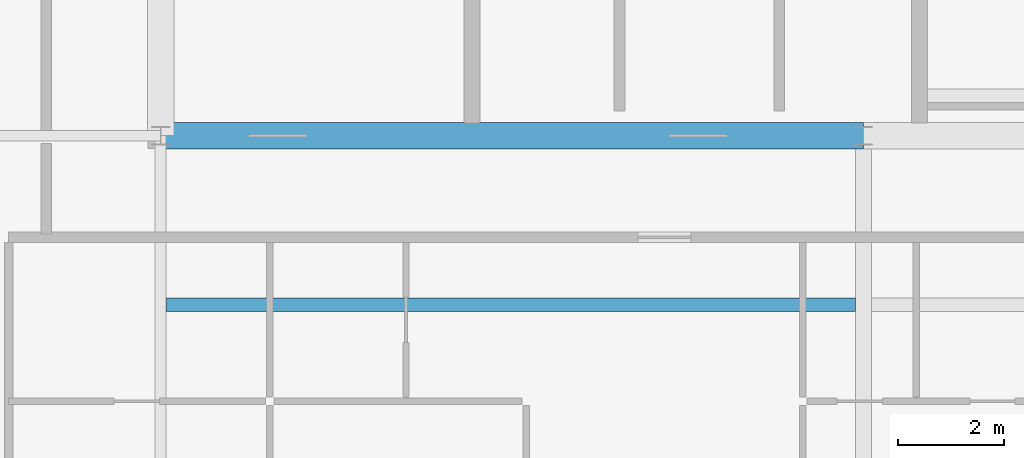
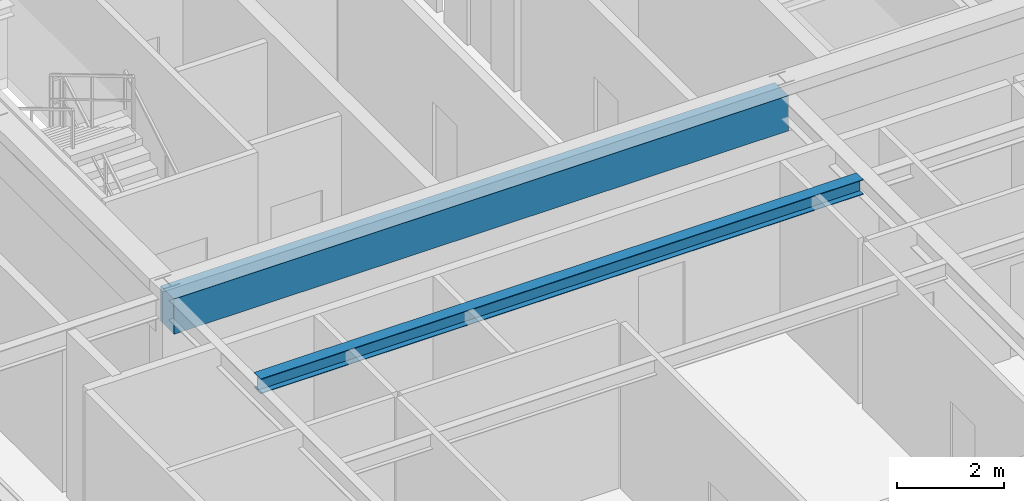
# One storey, part 7 of 35: 2 beams.
"""IFC4 building model written with IfcOpenShell, lengths in metres."""

from ifc_helpers import new_model, si_unit, direction, frame, origin, origin_2d, place, context, subcontext, project, spatial, rectangle, i_section, extrude, source, transform, mapped, material, material_profile, profile_set, type_object, element, save


model = new_model("IFC4")

# Units and contexts
model_context = context("Model", 3, precision=1e-05, world=origin(), true_north=direction((0.0, 1.0)))
body_context = subcontext(model_context, "Body", "Model", "MODEL_VIEW")
ifc_project = project(units=[si_unit("LENGTHUNIT", "METRE"), si_unit("AREAUNIT", "SQUARE_METRE"), si_unit("VOLUMEUNIT", "CUBIC_METRE"), si_unit("PLANEANGLEUNIT", "RADIAN"), si_unit("MASSUNIT", "GRAM", prefix="KILO"), si_unit("THERMODYNAMICTEMPERATUREUNIT", "KELVIN"), si_unit("POWERUNIT", "WATT")], contexts=[model_context])

# Site, building, storey
site_placement = place(None, origin())
site = spatial("IfcSite", under=ifc_project, at=site_placement, CompositionType="ELEMENT")
building_placement = place(site_placement, origin())
building = spatial("IfcBuilding", under=site, at=building_placement, Name="Yuzanri Waterfront Tower", CompositionType="ELEMENT")
storey_placement = place(building_placement, frame((0.0, 0.0, 343.199951171875)))
storey = spatial("IfcBuildingStorey", under=building, at=storey_placement, Name="L92", CompositionType="ELEMENT", Elevation=343.199951171875)

# Beams
ifc_material_1 = material(Name="Concrete C50", Category="concrete")
ifc_material_profile_1 = material_profile(ifc_material_1, rectangle(XDim=0.5, YDim=0.800048828125, at=origin_2d()), Name="RC 500x800")
ifc_profile_set_1 = profile_set([ifc_material_profile_1], Name="Concrete C50")
beam_type_1 = type_object("IfcBeamType", Name="Core Coupling Lintel Concrete C50 500x800", PredefinedType="LINTEL", material=ifc_profile_set_1)
shared_shape_1 = source(origin(), body_context, "Body", "SweptSolid", [
    extrude(rectangle(XDim=0.5, YDim=0.800048828125, at=origin_2d()), origin(), (0.0, 0.0, 1.0), 13.199951171875),
])
beam_1_placement = place(storey_placement, frame((23.800048828125, 19.39990234375, 3.360107421875), z_axis=(1.0, 0.0, 0.0), x_axis=(0.0, 1.0, 0.0)))
element("IfcBeam", 1, at=beam_1_placement, inside=storey, type_object=beam_type_1, Name="L92 Core Tie Beam CS1", PredefinedType="LINTEL", context=body_context, shape_type="MappedRepresentation", body=[
    mapped(shared_shape_1, transform((0.0, 0.0, 0.0), scale=1.0)),
])
ifc_material_2 = material(Name="Steel Q355B", Category="steel")
ifc_material_profile_2 = material_profile(ifc_material_2, i_section(OverallWidth=0.25, OverallDepth=0.340087890625, WebThickness=0.009033203125, FlangeThickness=0.013916015625, at=origin_2d()), Name="HM 340x250x9x14")
ifc_profile_set_2 = profile_set([ifc_material_profile_2], Name="Steel Q355B")
beam_type_2 = type_object("IfcBeamType", Name="Penthouse Floor Girder Q355B HM 340x250", PredefinedType="BEAM", material=ifc_profile_set_2)
shared_shape_2 = source(origin(), body_context, "Body", "SweptSolid", [
    extrude(i_section(OverallWidth=0.25, OverallDepth=0.340087890625, WebThickness=0.009033203125, FlangeThickness=0.013916015625, at=origin_2d()), origin(), (0.0, 0.0, 1.0), 12.9501953125),
])
beam_2_placement = place(storey_placement, frame((23.89990234375, 16.22509765625, 3.590087890625), z_axis=(1.0, 0.0, 0.0), x_axis=(0.0, 1.0, 0.0)))
element("IfcBeam", 2, at=beam_2_placement, inside=storey, type_object=beam_type_2, Name="L92 Penthouse Trim Girder W", PredefinedType="BEAM", context=body_context, shape_type="MappedRepresentation", body=[
    mapped(shared_shape_2, transform((0.0, 0.0, 0.0), scale=1.0)),
])

save(model, "model.ifc")
